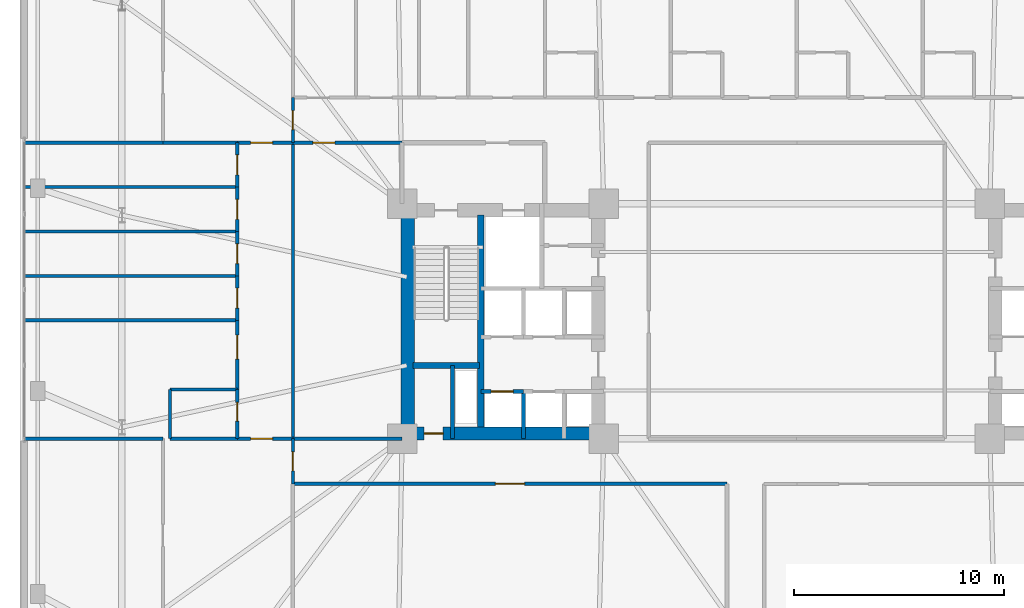
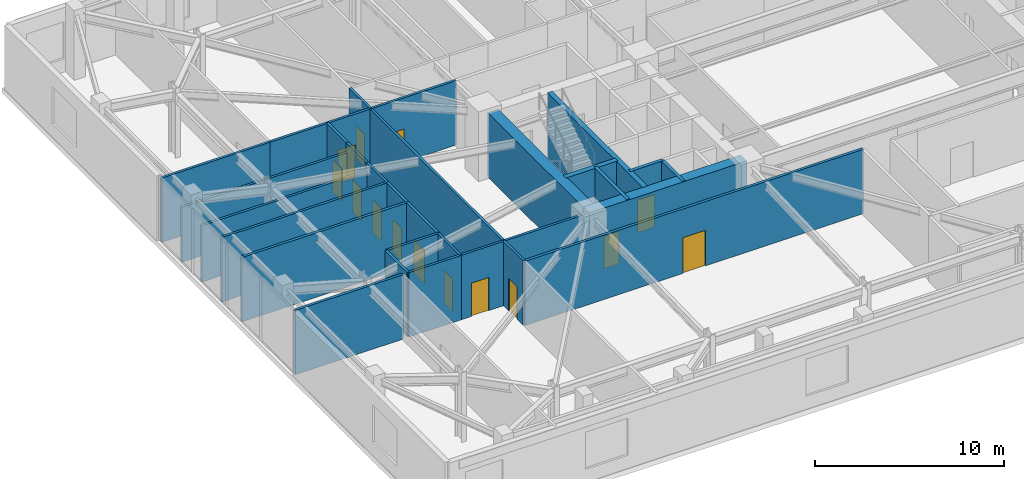
# One storey, part 11 of 21: 31 walls, 14 doors, 14 openings.
"""IFC4 building model written with IfcOpenShell, lengths in metres."""

from ifc_helpers import new_model, si_unit, direction, frame, frame_2d, origin, place, context, subcontext, project, spatial, rectangle, extrude, material, layer, layer_set, type_object, element, fill, save


model = new_model("IFC4")

# Units and contexts
model_context = context("Model", 3, precision=1e-05, world=origin(), true_north=direction((0.0, 1.0)))
body_context = subcontext(model_context, "Body", "Model", "MODEL_VIEW")
ifc_project = project(units=[si_unit("LENGTHUNIT", "METRE"), si_unit("AREAUNIT", "SQUARE_METRE"), si_unit("VOLUMEUNIT", "CUBIC_METRE"), si_unit("PLANEANGLEUNIT", "RADIAN"), si_unit("MASSUNIT", "GRAM", prefix="KILO")], contexts=[model_context])

# Site, building, storey
site_placement = place(None, origin())
site = spatial("IfcSite", under=ifc_project, at=site_placement, CompositionType="ELEMENT")
building_placement = place(site_placement, origin())
building = spatial("IfcBuilding", under=site, at=building_placement, Name="Qobustan Lattice House", CompositionType="ELEMENT")
storey_placement = place(building_placement, frame((0.0, 0.0, 22.5)))
storey = spatial("IfcBuildingStorey", under=building, at=storey_placement, Name="L05", CompositionType="ELEMENT", Elevation=22.5)

# Wall, opening, door
ifc_material_1 = material(Name="Concrete C60/75", Category="concrete")
ifc_layer_1 = layer(ifc_material_1, 0.639892578125)
ifc_layer_set_1 = layer_set([ifc_layer_1], Name="Concrete C60/75")
wall_type_1 = type_object("IfcWallType", Name="WAL-CORE-640", PredefinedType="SHEAR", material=ifc_layer_set_1)
wall_1_placement = place(storey_placement, frame((-18.800048828125, -5.35009765625, 0.0), z_axis=(0.0, 0.0, 1.0), x_axis=(1.0, 0.0, 0.0)))
wall_1 = element("IfcWall", 1, at=wall_1_placement, inside=storey, type_object=wall_type_1, Name="L05 split-core shear wall CW-S", PredefinedType="SHEAR", context=body_context, shape_type="SweptSolid", body=[
    extrude(rectangle(XDim=9.60009765625, YDim=0.639892578125, at=frame_2d((4.800048828125, 0.0))), origin(), (0.0, 0.0, 1.0), 4.159912109375),
])
opening_1_placement = place(wall_1_placement, frame((1.050048828125, 0.0, 0.0)))
opening_1 = element("IfcOpeningElement", 2, at=opening_1_placement, cuts=wall_1, Name="Opening RD-01", PredefinedType="OPENING", context=body_context, shape_type="SweptSolid", body=[
    extrude(rectangle(XDim=0.89990234375, YDim=2.10009765625, at=frame_2d((0.449951171875, 1.050048828125))), frame((0.0, 0.329833984375, 0.0), z_axis=(0.0, -1.0, 0.0), x_axis=(1.0, 0.0, 0.0)), (0.0, 0.0, 1.0), 0.659912109375),
])
ifc_material_2 = material(Name="Persian walnut timber and steel frame door", Category="steel")
door_type_1 = type_object("IfcDoorType", Name="DOR-RISER-FD-900x2100", OperationType="NOTDEFINED", PredefinedType="DOOR", material=ifc_material_2)
door_1_placement = place(opening_1_placement, origin())
door_1 = element("IfcDoor", 3, at=door_1_placement, inside=storey, type_object=door_type_1, Name="L05 core service riser access door W", OperationType="SINGLE_SWING_LEFT", OverallHeight=2.10009765625, OverallWidth=0.89990234375, PredefinedType="DOOR", context=body_context, shape_type="SweptSolid", body=[
    extrude(rectangle(XDim=0.89990234375, YDim=2.10009765625, at=frame_2d((0.449951171875, 1.050048828125))), frame((0.0, 0.02490234375, 0.0), z_axis=(0.0, -1.0, 0.0), x_axis=(1.0, 0.0, 0.0)), (0.0, 0.0, 1.0), 0.050048828125),
])
fill(opening_1, door_1)

# Walls
wall_2_placement = place(storey_placement, frame((-18.530029296875, -5.050048828125, 0.0), z_axis=(0.0, 0.0, 1.0), x_axis=(0.0, 1.0, 0.0)))
element("IfcWall", 4, at=wall_2_placement, inside=storey, type_object=wall_type_1, Name="L05 split-core shear wall CW-W", PredefinedType="SHEAR", context=body_context, shape_type="SweptSolid", body=[
    extrude(rectangle(XDim=10.10009765625, YDim=0.639892578125, at=frame_2d((5.050048828125, 0.0))), origin(), (0.0, 0.0, 1.0), 4.159912109375),
])
ifc_material_3 = material(Name="Concrete C50/60", Category="concrete")
ifc_layer_2 = layer(ifc_material_3, 0.280029296875)
ifc_layer_set_2 = layer_set([ifc_layer_2], Name="Concrete C50/60")
wall_type_2 = type_object("IfcWallType", Name="WAL-CORE-SPINE-280", PredefinedType="SHEAR", material=ifc_layer_set_2)
wall_3_placement = place(storey_placement, frame((-15.050048828125, -5.050048828125, 0.0), z_axis=(0.0, 0.0, 1.0), x_axis=(0.0, 1.0, 0.0)))
element("IfcWall", 5, at=wall_3_placement, inside=storey, type_object=wall_type_2, Name="L05 split-core shear wall CW-M", PredefinedType="SHEAR", context=body_context, shape_type="SweptSolid", body=[
    extrude(rectangle(XDim=10.10009765625, YDim=0.300048828125, at=frame_2d((5.050048828125, 0.0))), origin(), (0.0, 0.0, 1.0), 4.159912109375),
])
wall_4_placement = place(storey_placement, frame((-18.280029296875, -2.110107421875, 0.0), z_axis=(0.0, 0.0, 1.0), x_axis=(1.0, 0.0, 0.0)))
element("IfcWall", 6, at=wall_4_placement, inside=storey, type_object=wall_type_2, Name="L05 split-core shear wall CW-ST", PredefinedType="SHEAR", context=body_context, shape_type="SweptSolid", body=[
    extrude(rectangle(XDim=3.179931640625, YDim=0.300048828125, at=frame_2d((1.58984375, 0.0))), origin(), (0.0, 0.0, 1.0), 4.159912109375),
])

# Wall, opening, door
ifc_material_4 = material(Name="Acoustic twin-stud gypsum partition", Category="gypsum")
ifc_layer_3 = layer(ifc_material_4, 0.14990234375)
ifc_layer_set_3 = layer_set([ifc_layer_3], Name="Acoustic twin-stud gypsum partition")
wall_type_3 = type_object("IfcWallType", Name="WAL-PART-150", PredefinedType="PARTITIONING", material=ifc_layer_set_3)
wall_5_placement = place(storey_placement, frame((-24.0, 8.5, 0.0), z_axis=(0.0, 0.0, 1.0), x_axis=(0.0, 1.0, 0.0)))
wall_5 = element("IfcWall", 7, at=wall_5_placement, inside=storey, type_object=wall_type_3, Name="L05 interior partition 37", PredefinedType="PARTITIONING", context=body_context, shape_type="SweptSolid", body=[
    extrude(rectangle(XDim=2.14990234375, YDim=0.14990234375, at=frame_2d((1.074951171875, 0.0))), origin(), (0.0, 0.0, 1.0), 4.159912109375),
])
opening_2_placement = place(wall_5_placement, frame((0.625, 0.0, 0.0)))
opening_2 = element("IfcOpeningElement", 8, at=opening_2_placement, cuts=wall_5, Name="Opening WD-01", PredefinedType="OPENING", context=body_context, shape_type="SweptSolid", body=[
    extrude(rectangle(XDim=0.89990234375, YDim=2.10009765625, at=frame_2d((0.449951171875, 1.050048828125))), frame((0.0, 0.0849609375, 0.0), z_axis=(0.0, -1.0, 0.0), x_axis=(1.0, 0.0, 0.0)), (0.0, 0.0, 1.0), 0.169921875),
])
ifc_material_5 = material(Name="Persian walnut timber and steel frame door", Category="steel")
door_type_2 = type_object("IfcDoorType", Name="DOR-WET-900x2100", OperationType="NOTDEFINED", PredefinedType="DOOR", material=ifc_material_5)
door_2_placement = place(opening_2_placement, origin())
door_2 = element("IfcDoor", 9, at=door_2_placement, inside=storey, type_object=door_type_2, Name="L05 North-west podium corridor to Reading seminar room L05WN door", OperationType="SINGLE_SWING_LEFT", OverallHeight=2.10009765625, OverallWidth=0.89990234375, PredefinedType="DOOR", context=body_context, shape_type="SweptSolid", body=[
    extrude(rectangle(XDim=0.89990234375, YDim=2.10009765625, at=frame_2d((0.449951171875, 1.050048828125))), frame((0.0, 0.02490234375, 0.0), z_axis=(0.0, -1.0, 0.0), x_axis=(1.0, 0.0, 0.0)), (0.0, 0.0, 1.0), 0.050048828125),
])
fill(opening_2, door_2)

wall_6_placement = place(storey_placement, frame((-18.800048828125, 8.5, 0.0), z_axis=(0.0, 0.0, 1.0), x_axis=(-1.0, 0.0, 0.0)))
wall_6 = element("IfcWall", 10, at=wall_6_placement, inside=storey, type_object=wall_type_3, Name="L05 interior partition 38", PredefinedType="PARTITIONING", context=body_context, shape_type="SweptSolid", body=[
    extrude(rectangle(XDim=5.199951171875, YDim=0.14990234375, at=frame_2d((2.60009765625, 0.0))), origin(), (0.0, 0.0, 1.0), 4.159912109375),
])
opening_3_placement = place(wall_6_placement, frame((3.1962890625, 0.0, 0.0)))
opening_3 = element("IfcOpeningElement", 11, at=opening_3_placement, cuts=wall_6, Name="Opening ID-02", PredefinedType="OPENING", context=body_context, shape_type="SweptSolid", body=[
    extrude(rectangle(XDim=1.050048828125, YDim=2.14990234375, at=frame_2d((0.52490234375, 1.074951171875))), frame((0.0, 0.0849609375, 0.0), z_axis=(0.0, -1.0, 0.0), x_axis=(1.0, 0.0, 0.0)), (0.0, 0.0, 1.0), 0.169921875),
])
ifc_material_6 = material(Name="Persian walnut timber and steel frame door", Category="steel")
door_type_3 = type_object("IfcDoorType", Name="DOR-STUDY-1050x2150", OperationType="NOTDEFINED", PredefinedType="DOOR", material=ifc_material_6)
door_3_placement = place(opening_3_placement, origin())
door_3 = element("IfcDoor", 12, at=door_3_placement, inside=storey, type_object=door_type_3, Name="L05 North-west podium corridor to West study lounge door", OperationType="SINGLE_SWING_RIGHT", OverallHeight=2.14990234375, OverallWidth=1.050048828125, PredefinedType="DOOR", context=body_context, shape_type="SweptSolid", body=[
    extrude(rectangle(XDim=1.050048828125, YDim=2.14990234375, at=frame_2d((0.52490234375, 1.074951171875))), frame((0.0, 0.02490234375, 0.0), z_axis=(0.0, -1.0, 0.0), x_axis=(1.0, 0.0, 0.0)), (0.0, 0.0, 1.0), 0.050048828125),
])
fill(opening_3, door_3)

wall_7_placement = place(storey_placement, frame((-24.0, -7.75, 0.0), z_axis=(0.0, 0.0, 1.0), x_axis=(0.0, 1.0, 0.0)))
wall_7 = element("IfcWall", 13, at=wall_7_placement, inside=storey, type_object=wall_type_3, Name="L05 interior partition 59", PredefinedType="PARTITIONING", context=body_context, shape_type="SweptSolid", body=[
    extrude(rectangle(XDim=2.14990234375, YDim=0.14990234375, at=frame_2d((1.074951171875, 0.0))), origin(), (0.0, 0.0, 1.0), 4.159912109375),
])
opening_4_placement = place(wall_7_placement, frame((0.625, 0.0, 0.0)))
opening_4 = element("IfcOpeningElement", 14, at=opening_4_placement, cuts=wall_7, Name="Opening WD-01", PredefinedType="OPENING", context=body_context, shape_type="SweptSolid", body=[
    extrude(rectangle(XDim=0.89990234375, YDim=2.10009765625, at=frame_2d((0.449951171875, 1.050048828125))), frame((0.0, 0.0849609375, 0.0), z_axis=(0.0, -1.0, 0.0), x_axis=(1.0, 0.0, 0.0)), (0.0, 0.0, 1.0), 0.169921875),
])
door_4_placement = place(opening_4_placement, origin())
door_4 = element("IfcDoor", 15, at=door_4_placement, inside=storey, type_object=door_type_2, Name="L05 South-west podium corridor to Reading seminar room L05WS door", OperationType="SINGLE_SWING_RIGHT", OverallHeight=2.10009765625, OverallWidth=0.89990234375, PredefinedType="DOOR", context=body_context, shape_type="SweptSolid", body=[
    extrude(rectangle(XDim=0.89990234375, YDim=2.10009765625, at=frame_2d((0.449951171875, 1.050048828125))), frame((0.0, 0.02490234375, 0.0), z_axis=(0.0, -1.0, 0.0), x_axis=(1.0, 0.0, 0.0)), (0.0, 0.0, 1.0), 0.050048828125),
])
fill(opening_4, door_4)

# Wall
wall_8_placement = place(storey_placement, frame((-24.0, -5.60009765625, 0.0), z_axis=(0.0, 0.0, 1.0), x_axis=(1.0, 0.0, 0.0)))
element("IfcWall", 16, at=wall_8_placement, inside=storey, type_object=wall_type_3, Name="L05 interior partition 60", PredefinedType="PARTITIONING", context=body_context, shape_type="SweptSolid", body=[
    extrude(rectangle(XDim=5.199951171875, YDim=0.14990234375, at=frame_2d((2.60009765625, 0.0))), origin(), (0.0, 0.0, 1.0), 4.159912109375),
])

# Wall, opening, door
wall_9_placement = place(storey_placement, frame((-26.64990234375, 8.5, 0.0), z_axis=(0.0, 0.0, 1.0), x_axis=(1.0, 0.0, 0.0)))
wall_9 = element("IfcWall", 17, at=wall_9_placement, inside=storey, type_object=wall_type_3, Name="L05 interior partition 75", PredefinedType="PARTITIONING", context=body_context, shape_type="SweptSolid", body=[
    extrude(rectangle(XDim=2.64990234375, YDim=0.14990234375, at=frame_2d((1.324951171875, 0.0))), origin(), (0.0, 0.0, 1.0), 4.159912109375),
])
opening_5_placement = place(wall_9_placement, frame((0.635009765625, 0.0, 0.0)))
opening_5 = element("IfcOpeningElement", 18, at=opening_5_placement, cuts=wall_9, Name="Opening ID-02", PredefinedType="OPENING", context=body_context, shape_type="SweptSolid", body=[
    extrude(rectangle(XDim=1.050048828125, YDim=2.14990234375, at=frame_2d((0.52490234375, 1.074951171875))), frame((0.0, 0.0849609375, 0.0), z_axis=(0.0, -1.0, 0.0), x_axis=(1.0, 0.0, 0.0)), (0.0, 0.0, 1.0), 0.169921875),
])
door_5_placement = place(opening_5_placement, origin())
door_5 = element("IfcDoor", 19, at=door_5_placement, inside=storey, type_object=door_type_3, Name="L05 Residence entrance hall L05W to Reading seminar room L05WN door", OperationType="SINGLE_SWING_RIGHT", OverallHeight=2.14990234375, OverallWidth=1.050048828125, PredefinedType="DOOR", context=body_context, shape_type="SweptSolid", body=[
    extrude(rectangle(XDim=1.050048828125, YDim=2.14990234375, at=frame_2d((0.52490234375, 1.074951171875))), frame((0.0, 0.02490234375, 0.0), z_axis=(0.0, -1.0, 0.0), x_axis=(1.0, 0.0, 0.0)), (0.0, 0.0, 1.0), 0.050048828125),
])
fill(opening_5, door_5)

wall_10_placement = place(storey_placement, frame((-24.0, -5.60009765625, 0.0), z_axis=(0.0, 0.0, 1.0), x_axis=(-1.0, 0.0, 0.0)))
wall_10 = element("IfcWall", 20, at=wall_10_placement, inside=storey, type_object=wall_type_3, Name="L05 interior partition 76", PredefinedType="PARTITIONING", context=body_context, shape_type="SweptSolid", body=[
    extrude(rectangle(XDim=2.64990234375, YDim=0.14990234375, at=frame_2d((1.324951171875, 0.0))), origin(), (0.0, 0.0, 1.0), 4.159912109375),
])
opening_6_placement = place(wall_10_placement, frame((0.965087890625, 0.0, 0.0)))
opening_6 = element("IfcOpeningElement", 21, at=opening_6_placement, cuts=wall_10, Name="Opening ID-02", PredefinedType="OPENING", context=body_context, shape_type="SweptSolid", body=[
    extrude(rectangle(XDim=1.050048828125, YDim=2.14990234375, at=frame_2d((0.52490234375, 1.074951171875))), frame((0.0, 0.0849609375, 0.0), z_axis=(0.0, -1.0, 0.0), x_axis=(1.0, 0.0, 0.0)), (0.0, 0.0, 1.0), 0.169921875),
])
door_6_placement = place(opening_6_placement, origin())
door_6 = element("IfcDoor", 22, at=door_6_placement, inside=storey, type_object=door_type_3, Name="L05 Residence entrance hall L05W to Reading seminar room L05WS door", OperationType="SINGLE_SWING_LEFT", OverallHeight=2.14990234375, OverallWidth=1.050048828125, PredefinedType="DOOR", context=body_context, shape_type="SweptSolid", body=[
    extrude(rectangle(XDim=1.050048828125, YDim=2.14990234375, at=frame_2d((0.52490234375, 1.074951171875))), frame((0.0, 0.02490234375, 0.0), z_axis=(0.0, -1.0, 0.0), x_axis=(1.0, 0.0, 0.0)), (0.0, 0.0, 1.0), 0.050048828125),
])
fill(opening_6, door_6)

wall_11_placement = place(storey_placement, frame((-26.64990234375, 0.0400390625, 0.0), z_axis=(0.0, 0.0, 1.0), x_axis=(0.0, 1.0, 0.0)))
wall_11 = element("IfcWall", 23, at=wall_11_placement, inside=storey, type_object=wall_type_3, Name="L05 interior partition 79", PredefinedType="PARTITIONING", context=body_context, shape_type="SweptSolid", body=[
    extrude(rectangle(XDim=2.114990234375, YDim=0.14990234375, at=frame_2d((1.0576171875, 0.0))), origin(), (0.0, 0.0, 1.0), 4.159912109375),
])
opening_7_placement = place(wall_11_placement, frame((0.58251953125, 0.0, 0.0)))
opening_7 = element("IfcOpeningElement", 24, at=opening_7_placement, cuts=wall_11, Name="Opening ID-01", PredefinedType="OPENING", context=body_context, shape_type="SweptSolid", body=[
    extrude(rectangle(XDim=0.949951171875, YDim=2.10009765625, at=frame_2d((0.47509765625, 1.050048828125))), frame((0.0, 0.0849609375, 0.0), z_axis=(0.0, -1.0, 0.0), x_axis=(1.0, 0.0, 0.0)), (0.0, 0.0, 1.0), 0.169921875),
])
ifc_material_7 = material(Name="Persian walnut timber and steel frame door", Category="steel")
door_type_4 = type_object("IfcDoorType", Name="DOR-ROOM-950x2100", OperationType="NOTDEFINED", PredefinedType="DOOR", material=ifc_material_7)
door_7_placement = place(opening_7_placement, origin())
door_7 = element("IfcDoor", 25, at=door_7_placement, inside=storey, type_object=door_type_4, Name="L05 Residence entrance hall L05W to Cluster bedroom L05W1 door", OperationType="SINGLE_SWING_RIGHT", OverallHeight=2.10009765625, OverallWidth=0.949951171875, PredefinedType="DOOR", context=body_context, shape_type="SweptSolid", body=[
    extrude(rectangle(XDim=0.949951171875, YDim=2.10009765625, at=frame_2d((0.47509765625, 1.050048828125))), frame((0.0, 0.02490234375, 0.0), z_axis=(0.0, -1.0, 0.0), x_axis=(1.0, 0.0, 0.0)), (0.0, 0.0, 1.0), 0.050048828125),
])
fill(opening_7, door_7)

wall_12_placement = place(storey_placement, frame((-26.64990234375, 2.155029296875, 0.0), z_axis=(0.0, 0.0, 1.0), x_axis=(0.0, 1.0, 0.0)))
wall_12 = element("IfcWall", 26, at=wall_12_placement, inside=storey, type_object=wall_type_3, Name="L05 interior partition 80", PredefinedType="PARTITIONING", context=body_context, shape_type="SweptSolid", body=[
    extrude(rectangle(XDim=2.114990234375, YDim=0.14990234375, at=frame_2d((1.0576171875, 0.0))), origin(), (0.0, 0.0, 1.0), 4.159912109375),
])
opening_8_placement = place(wall_12_placement, frame((0.58251953125, 0.0, 0.0)))
opening_8 = element("IfcOpeningElement", 27, at=opening_8_placement, cuts=wall_12, Name="Opening ID-01", PredefinedType="OPENING", context=body_context, shape_type="SweptSolid", body=[
    extrude(rectangle(XDim=0.949951171875, YDim=2.10009765625, at=frame_2d((0.47509765625, 1.050048828125))), frame((0.0, 0.0849609375, 0.0), z_axis=(0.0, -1.0, 0.0), x_axis=(1.0, 0.0, 0.0)), (0.0, 0.0, 1.0), 0.169921875),
])
door_8_placement = place(opening_8_placement, origin())
door_8 = element("IfcDoor", 28, at=door_8_placement, inside=storey, type_object=door_type_4, Name="L05 Residence entrance hall L05W to Cluster bedroom L05W2 door", OperationType="SINGLE_SWING_LEFT", OverallHeight=2.10009765625, OverallWidth=0.949951171875, PredefinedType="DOOR", context=body_context, shape_type="SweptSolid", body=[
    extrude(rectangle(XDim=0.949951171875, YDim=2.10009765625, at=frame_2d((0.47509765625, 1.050048828125))), frame((0.0, 0.02490234375, 0.0), z_axis=(0.0, -1.0, 0.0), x_axis=(1.0, 0.0, 0.0)), (0.0, 0.0, 1.0), 0.050048828125),
])
fill(opening_8, door_8)

wall_13_placement = place(storey_placement, frame((-26.64990234375, 4.27001953125, 0.0), z_axis=(0.0, 0.0, 1.0), x_axis=(0.0, 1.0, 0.0)))
wall_13 = element("IfcWall", 29, at=wall_13_placement, inside=storey, type_object=wall_type_3, Name="L05 interior partition 81", PredefinedType="PARTITIONING", context=body_context, shape_type="SweptSolid", body=[
    extrude(rectangle(XDim=2.114990234375, YDim=0.14990234375, at=frame_2d((1.0576171875, 0.0))), origin(), (0.0, 0.0, 1.0), 4.159912109375),
])
opening_9_placement = place(wall_13_placement, frame((0.58251953125, 0.0, 0.0)))
opening_9 = element("IfcOpeningElement", 30, at=opening_9_placement, cuts=wall_13, Name="Opening ID-01", PredefinedType="OPENING", context=body_context, shape_type="SweptSolid", body=[
    extrude(rectangle(XDim=0.949951171875, YDim=2.10009765625, at=frame_2d((0.47509765625, 1.050048828125))), frame((0.0, 0.0849609375, 0.0), z_axis=(0.0, -1.0, 0.0), x_axis=(1.0, 0.0, 0.0)), (0.0, 0.0, 1.0), 0.169921875),
])
door_9_placement = place(opening_9_placement, origin())
door_9 = element("IfcDoor", 31, at=door_9_placement, inside=storey, type_object=door_type_4, Name="L05 Residence entrance hall L05W to Cluster bedroom L05W3 door", OperationType="SINGLE_SWING_RIGHT", OverallHeight=2.10009765625, OverallWidth=0.949951171875, PredefinedType="DOOR", context=body_context, shape_type="SweptSolid", body=[
    extrude(rectangle(XDim=0.949951171875, YDim=2.10009765625, at=frame_2d((0.47509765625, 1.050048828125))), frame((0.0, 0.02490234375, 0.0), z_axis=(0.0, -1.0, 0.0), x_axis=(1.0, 0.0, 0.0)), (0.0, 0.0, 1.0), 0.050048828125),
])
fill(opening_9, door_9)

wall_14_placement = place(storey_placement, frame((-26.64990234375, 6.385009765625, 0.0), z_axis=(0.0, 0.0, 1.0), x_axis=(0.0, 1.0, 0.0)))
wall_14 = element("IfcWall", 32, at=wall_14_placement, inside=storey, type_object=wall_type_3, Name="L05 interior partition 82", PredefinedType="PARTITIONING", context=body_context, shape_type="SweptSolid", body=[
    extrude(rectangle(XDim=2.114990234375, YDim=0.14990234375, at=frame_2d((1.0576171875, 0.0))), origin(), (0.0, 0.0, 1.0), 4.159912109375),
])
opening_10_placement = place(wall_14_placement, frame((0.58251953125, 0.0, 0.0)))
opening_10 = element("IfcOpeningElement", 33, at=opening_10_placement, cuts=wall_14, Name="Opening ID-01", PredefinedType="OPENING", context=body_context, shape_type="SweptSolid", body=[
    extrude(rectangle(XDim=0.949951171875, YDim=2.10009765625, at=frame_2d((0.47509765625, 1.050048828125))), frame((0.0, 0.0849609375, 0.0), z_axis=(0.0, -1.0, 0.0), x_axis=(1.0, 0.0, 0.0)), (0.0, 0.0, 1.0), 0.169921875),
])
door_10_placement = place(opening_10_placement, origin())
door_10 = element("IfcDoor", 34, at=door_10_placement, inside=storey, type_object=door_type_4, Name="L05 Residence entrance hall L05W to Cluster bedroom L05W4 door", OperationType="SINGLE_SWING_LEFT", OverallHeight=2.10009765625, OverallWidth=0.949951171875, PredefinedType="DOOR", context=body_context, shape_type="SweptSolid", body=[
    extrude(rectangle(XDim=0.949951171875, YDim=2.10009765625, at=frame_2d((0.47509765625, 1.050048828125))), frame((0.0, 0.02490234375, 0.0), z_axis=(0.0, -1.0, 0.0), x_axis=(1.0, 0.0, 0.0)), (0.0, 0.0, 1.0), 0.050048828125),
])
fill(opening_10, door_10)

# Walls
wall_15_placement = place(storey_placement, frame((-24.0, 8.5, 0.0), z_axis=(0.0, 0.0, 1.0), x_axis=(0.0, -1.0, 0.0)))
element("IfcWall", 35, at=wall_15_placement, inside=storey, type_object=wall_type_3, Name="L05 interior partition 83", PredefinedType="PARTITIONING", context=body_context, shape_type="SweptSolid", body=[
    extrude(rectangle(XDim=14.10009765625, YDim=0.14990234375, at=frame_2d((7.050048828125, 0.0))), origin(), (0.0, 0.0, 1.0), 4.159912109375),
])
wall_16_placement = place(storey_placement, frame((-26.64990234375, 8.5, 0.0), z_axis=(0.0, 0.0, 1.0), x_axis=(-1.0, 0.0, 0.0)))
element("IfcWall", 36, at=wall_16_placement, inside=storey, type_object=wall_type_3, Name="L05 interior partition 85", PredefinedType="PARTITIONING", context=body_context, shape_type="SweptSolid", body=[
    extrude(rectangle(XDim=3.5400390625, YDim=0.14990234375, at=frame_2d((1.77001953125, 0.0))), origin(), (0.0, 0.0, 1.0), 4.159912109375),
])
wall_17_placement = place(storey_placement, frame((-30.18994140625, 8.5, 0.0), z_axis=(0.0, 0.0, 1.0), x_axis=(-1.0, 0.0, 0.0)))
element("IfcWall", 37, at=wall_17_placement, inside=storey, type_object=wall_type_3, Name="L05 interior partition 87", PredefinedType="PARTITIONING", context=body_context, shape_type="SweptSolid", body=[
    extrude(rectangle(XDim=6.610107421875, YDim=0.14990234375, at=frame_2d((3.30517578125, 0.0))), origin(), (0.0, 0.0, 1.0), 4.159912109375),
])
wall_18_placement = place(storey_placement, frame((-36.800048828125, 2.155029296875, 0.0), z_axis=(0.0, 0.0, 1.0), x_axis=(1.0, 0.0, 0.0)))
element("IfcWall", 38, at=wall_18_placement, inside=storey, type_object=wall_type_3, Name="L05 interior partition 95", PredefinedType="PARTITIONING", context=body_context, shape_type="SweptSolid", body=[
    extrude(rectangle(XDim=10.150146484375, YDim=0.14990234375, at=frame_2d((5.0751953125, 0.0))), origin(), (0.0, 0.0, 1.0), 4.159912109375),
])
wall_19_placement = place(storey_placement, frame((-36.800048828125, 4.27001953125, 0.0), z_axis=(0.0, 0.0, 1.0), x_axis=(1.0, 0.0, 0.0)))
element("IfcWall", 39, at=wall_19_placement, inside=storey, type_object=wall_type_3, Name="L05 interior partition 96", PredefinedType="PARTITIONING", context=body_context, shape_type="SweptSolid", body=[
    extrude(rectangle(XDim=10.150146484375, YDim=0.14990234375, at=frame_2d((5.0751953125, 0.0))), origin(), (0.0, 0.0, 1.0), 3.64501953125),
])
wall_20_placement = place(storey_placement, frame((-36.800048828125, 6.385009765625, 0.0), z_axis=(0.0, 0.0, 1.0), x_axis=(1.0, 0.0, 0.0)))
element("IfcWall", 40, at=wall_20_placement, inside=storey, type_object=wall_type_3, Name="L05 interior partition 97", PredefinedType="PARTITIONING", context=body_context, shape_type="SweptSolid", body=[
    extrude(rectangle(XDim=10.150146484375, YDim=0.14990234375, at=frame_2d((5.0751953125, 0.0))), origin(), (0.0, 0.0, 1.0), 3.544921875),
])

# Wall, opening, door
ifc_material_8 = material(Name="High-mass acoustic twin-stud partition", Category="gypsum")
ifc_layer_4 = layer(ifc_material_8, 0.1650390625)
ifc_layer_set_4 = layer_set([ifc_layer_4], Name="High-mass acoustic twin-stud partition")
wall_type_4 = type_object("IfcWallType", Name="WAL-PART-165", PredefinedType="PARTITIONING", material=ifc_layer_set_4)
wall_21_placement = place(storey_placement, frame((-3.320068359375, -7.75, 0.0), z_axis=(0.0, 0.0, 1.0), x_axis=(-1.0, 0.0, 0.0)))
wall_21 = element("IfcWall", 41, at=wall_21_placement, inside=storey, type_object=wall_type_4, Name="L05 interior partition 61", PredefinedType="PARTITIONING", context=body_context, shape_type="SweptSolid", body=[
    extrude(rectangle(XDim=20.679931640625, YDim=0.1650390625, at=frame_2d((10.33984375, 0.0))), origin(), (0.0, 0.0, 1.0), 4.159912109375),
])
opening_11_placement = place(wall_21_placement, frame((9.639892578125, 0.0, 0.0)))
opening_11 = element("IfcOpeningElement", 42, at=opening_11_placement, cuts=wall_21, Name="Opening ID-04", PredefinedType="OPENING", context=body_context, shape_type="SweptSolid", body=[
    extrude(rectangle(XDim=1.39990234375, YDim=2.300048828125, at=frame_2d((0.699951171875, 1.14990234375))), frame((0.0, 0.092529296875, 0.0), z_axis=(0.0, -1.0, 0.0), x_axis=(1.0, 0.0, 0.0)), (0.0, 0.0, 1.0), 0.18505859375),
])
ifc_material_9 = material(Name="Persian walnut timber and steel frame door", Category="steel")
door_type_5 = type_object("IfcDoorType", Name="DOR-POD-1400x2300", OperationType="NOTDEFINED", PredefinedType="DOOR", material=ifc_material_9)
door_11_placement = place(opening_11_placement, origin())
door_11 = element("IfcDoor", 43, at=door_11_placement, inside=storey, type_object=door_type_5, Name="L05 South-west podium corridor to Observatory pre-show exhibition gallery door", OperationType="SINGLE_SWING_LEFT", OverallHeight=2.300048828125, OverallWidth=1.39990234375, PredefinedType="DOOR", context=body_context, shape_type="SweptSolid", body=[
    extrude(rectangle(XDim=1.39990234375, YDim=2.300048828125, at=frame_2d((0.699951171875, 1.14990234375))), frame((0.0, 0.02490234375, 0.0), z_axis=(0.0, -1.0, 0.0), x_axis=(1.0, 0.0, 0.0)), (0.0, 0.0, 1.0), 0.050048828125),
])
fill(opening_11, door_11)

wall_22_placement = place(storey_placement, frame((-26.64990234375, -3.25, 0.0), z_axis=(0.0, 0.0, 1.0), x_axis=(0.0, 1.0, 0.0)))
wall_22 = element("IfcWall", 44, at=wall_22_placement, inside=storey, type_object=wall_type_4, Name="L05 interior partition 78", PredefinedType="PARTITIONING", context=body_context, shape_type="SweptSolid", body=[
    extrude(rectangle(XDim=3.2900390625, YDim=0.1650390625, at=frame_2d((1.64501953125, 0.0))), origin(), (0.0, 0.0, 1.0), 4.159912109375),
])
opening_12_placement = place(wall_22_placement, frame((1.4375, 0.0, 0.0)))
opening_12 = element("IfcOpeningElement", 45, at=opening_12_placement, cuts=wall_22, Name="Opening ID-03", PredefinedType="OPENING", context=body_context, shape_type="SweptSolid", body=[
    extrude(rectangle(XDim=1.14990234375, YDim=2.14990234375, at=frame_2d((0.574951171875, 1.074951171875))), frame((0.0, 0.092529296875, 0.0), z_axis=(0.0, -1.0, 0.0), x_axis=(1.0, 0.0, 0.0)), (0.0, 0.0, 1.0), 0.18505859375),
])
ifc_material_10 = material(Name="Persian walnut timber and steel frame door", Category="steel")
door_type_6 = type_object("IfcDoorType", Name="DOR-KITCH-1150x2150", OperationType="NOTDEFINED", PredefinedType="DOOR", material=ifc_material_10)
door_12_placement = place(opening_12_placement, origin())
door_12 = element("IfcDoor", 46, at=door_12_placement, inside=storey, type_object=door_type_6, Name="L05 Residence entrance hall L05W to Shared kitchen L05W door", OperationType="SINGLE_SWING_LEFT", OverallHeight=2.14990234375, OverallWidth=1.14990234375, PredefinedType="DOOR", context=body_context, shape_type="SweptSolid", body=[
    extrude(rectangle(XDim=1.14990234375, YDim=2.14990234375, at=frame_2d((0.574951171875, 1.074951171875))), frame((0.0, 0.02490234375, 0.0), z_axis=(0.0, -1.0, 0.0), x_axis=(1.0, 0.0, 0.0)), (0.0, 0.0, 1.0), 0.050048828125),
])
fill(opening_12, door_12)

# Walls
wall_23_placement = place(storey_placement, frame((-36.800048828125, -5.60009765625, 0.0), z_axis=(0.0, 0.0, 1.0), x_axis=(1.0, 0.0, 0.0)))
element("IfcWall", 47, at=wall_23_placement, inside=storey, type_object=wall_type_4, Name="L05 interior partition 91", PredefinedType="PARTITIONING", context=body_context, shape_type="SweptSolid", body=[
    extrude(rectangle(XDim=6.610107421875, YDim=0.1650390625, at=frame_2d((3.30517578125, 0.0))), origin(), (0.0, 0.0, 1.0), 4.159912109375),
])
wall_24_placement = place(storey_placement, frame((-36.800048828125, 0.0400390625, 0.0), z_axis=(0.0, 0.0, 1.0), x_axis=(1.0, 0.0, 0.0)))
element("IfcWall", 48, at=wall_24_placement, inside=storey, type_object=wall_type_4, Name="L05 interior partition 94", PredefinedType="PARTITIONING", context=body_context, shape_type="SweptSolid", body=[
    extrude(rectangle(XDim=10.150146484375, YDim=0.1650390625, at=frame_2d((5.0751953125, 0.0))), origin(), (0.0, 0.0, 1.0), 4.159912109375),
])
ifc_material_11 = material(Name="Concrete C40/50", Category="concrete")
ifc_layer_5 = layer(ifc_material_11, 0.199951171875)
ifc_layer_set_5 = layer_set([ifc_layer_5], Name="Concrete C40/50")
wall_type_5 = type_object("IfcWallType", Name="WAL-SHAFT-200", PredefinedType="PARTITIONING", material=ifc_layer_set_5)
wall_25_placement = place(storey_placement, frame((-16.39990234375, -5.60009765625, 0.0), z_axis=(0.0, 0.0, 1.0), x_axis=(0.0, 1.0, 0.0)))
element("IfcWall", 49, at=wall_25_placement, inside=storey, type_object=wall_type_5, Name="L05 interior partition 1", PredefinedType="PARTITIONING", context=body_context, shape_type="SweptSolid", body=[
    extrude(rectangle(XDim=3.489990234375, YDim=0.199951171875, at=frame_2d((1.7451171875, 0.0))), origin(), (0.0, 0.0, 1.0), 4.159912109375),
])

# Wall, opening, door
wall_26_placement = place(storey_placement, frame((-15.050048828125, -3.35009765625, 0.0), z_axis=(0.0, 0.0, 1.0), x_axis=(1.0, 0.0, 0.0)))
wall_26 = element("IfcWall", 50, at=wall_26_placement, inside=storey, type_object=wall_type_5, Name="L05 interior partition 9", PredefinedType="PARTITIONING", context=body_context, shape_type="SweptSolid", body=[
    extrude(rectangle(XDim=2.030029296875, YDim=0.199951171875, at=frame_2d((1.01513671875, 0.0))), origin(), (0.0, 0.0, 1.0), 4.159912109375),
])
opening_13_placement = place(wall_26_placement, frame((0.489990234375, 0.0, 0.0)))
opening_13 = element("IfcOpeningElement", 51, at=opening_13_placement, cuts=wall_26, Name="Opening LD-01", PredefinedType="OPENING", context=body_context, shape_type="SweptSolid", body=[
    extrude(rectangle(XDim=1.050048828125, YDim=2.10009765625, at=frame_2d((0.52490234375, 1.050048828125))), frame((0.0, 0.10986328125, 0.0), z_axis=(0.0, -1.0, 0.0), x_axis=(1.0, 0.0, 0.0)), (0.0, 0.0, 1.0), 0.219970703125),
])
ifc_material_12 = material(Name="Persian walnut timber and steel frame door", Category="steel")
door_type_7 = type_object("IfcDoorType", Name="DOR-LIFT-LD-1050x2100", OperationType="NOTDEFINED", PredefinedType="DOOR", material=ifc_material_12)
door_13_placement = place(opening_13_placement, origin())
door_13 = element("IfcDoor", 52, at=door_13_placement, inside=storey, type_object=door_type_7, Name="L05 lift landing door", OperationType="DOUBLE_DOOR_SLIDING", OverallHeight=2.10009765625, OverallWidth=1.050048828125, PredefinedType="DOOR", context=body_context, shape_type="SweptSolid", body=[
    extrude(rectangle(XDim=1.050048828125, YDim=2.10009765625, at=frame_2d((0.52490234375, 1.050048828125))), frame((0.0, 0.02490234375, 0.0), z_axis=(0.0, -1.0, 0.0), x_axis=(1.0, 0.0, 0.0)), (0.0, 0.0, 1.0), 0.050048828125),
])
fill(opening_13, door_13)

# Wall
wall_27_placement = place(storey_placement, frame((-13.02001953125, -5.60009765625, 0.0), z_axis=(0.0, 0.0, 1.0), x_axis=(0.0, 1.0, 0.0)))
element("IfcWall", 53, at=wall_27_placement, inside=storey, type_object=wall_type_5, Name="L05 interior partition 16", PredefinedType="PARTITIONING", context=body_context, shape_type="SweptSolid", body=[
    extrude(rectangle(XDim=2.25, YDim=0.199951171875, at=frame_2d((1.125, 0.0))), origin(), (0.0, 0.0, 1.0), 4.159912109375),
])

# Wall, opening, door
ifc_material_13 = material(Name="Moisture-resistant acoustic plumbing wall", Category="gypsum")
ifc_layer_6 = layer(ifc_material_13, 0.14990234375)
ifc_layer_set_6 = layer_set([ifc_layer_6], Name="Moisture-resistant acoustic plumbing wall")
wall_type_6 = type_object("IfcWallType", Name="WAL-WET-150", PredefinedType="PLUMBINGWALL", material=ifc_layer_set_6)
wall_28_placement = place(storey_placement, frame((-26.64990234375, -5.60009765625, 0.0), z_axis=(0.0, 0.0, 1.0), x_axis=(0.0, 1.0, 0.0)))
wall_28 = element("IfcWall", 54, at=wall_28_placement, inside=storey, type_object=wall_type_6, Name="L05 interior partition 77", PredefinedType="PLUMBINGWALL", context=body_context, shape_type="SweptSolid", body=[
    extrude(rectangle(XDim=2.35009765625, YDim=0.14990234375, at=frame_2d((1.175048828125, 0.0))), origin(), (0.0, 0.0, 1.0), 4.159912109375),
])
opening_14_placement = place(wall_28_placement, frame((0.833740234375, 0.0, 0.0)))
opening_14 = element("IfcOpeningElement", 55, at=opening_14_placement, cuts=wall_28, Name="Opening WD-01", PredefinedType="OPENING", context=body_context, shape_type="SweptSolid", body=[
    extrude(rectangle(XDim=0.89990234375, YDim=2.10009765625, at=frame_2d((0.449951171875, 1.050048828125))), frame((0.0, 0.0849609375, 0.0), z_axis=(0.0, -1.0, 0.0), x_axis=(1.0, 0.0, 0.0)), (0.0, 0.0, 1.0), 0.169921875),
])
door_14_placement = place(opening_14_placement, origin())
door_14 = element("IfcDoor", 56, at=door_14_placement, inside=storey, type_object=door_type_2, Name="L05 Residence entrance hall L05W to Shared bathroom L05W door", OperationType="SINGLE_SWING_RIGHT", OverallHeight=2.10009765625, OverallWidth=0.89990234375, PredefinedType="DOOR", context=body_context, shape_type="SweptSolid", body=[
    extrude(rectangle(XDim=0.89990234375, YDim=2.10009765625, at=frame_2d((0.449951171875, 1.050048828125))), frame((0.0, 0.02490234375, 0.0), z_axis=(0.0, -1.0, 0.0), x_axis=(1.0, 0.0, 0.0)), (0.0, 0.0, 1.0), 0.050048828125),
])
fill(opening_14, door_14)

# Walls
for number, where, z_axis, x_axis, name in (
    (57, (-29.85009765625, -5.60009765625, 0.0), (0.0, 0.0, 1.0), (1.0, 0.0, 0.0), "L05 interior partition 89"),
    (58, (-29.85009765625, -3.25, 0.0), (0.0, 0.0, 1.0), (1.0, 0.0, 0.0), "L05 interior partition 92"),
):
    element("IfcWall", number, at=place(storey_placement, frame(where, z_axis=z_axis, x_axis=x_axis)), inside=storey, type_object=wall_type_6, Name=name, PredefinedType="PLUMBINGWALL", context=body_context, shape_type="SweptSolid", body=[
        extrude(rectangle(XDim=3.2001953125, YDim=0.14990234375, at=frame_2d((1.60009765625, 0.0))), origin(), (0.0, 0.0, 1.0), 4.159912109375),
    ])
wall_29_placement = place(storey_placement, frame((-29.85009765625, -5.60009765625, 0.0), z_axis=(0.0, 0.0, 1.0), x_axis=(0.0, 1.0, 0.0)))
element("IfcWall", 59, at=wall_29_placement, inside=storey, type_object=wall_type_6, Name="L05 interior partition 93", PredefinedType="PLUMBINGWALL", context=body_context, shape_type="SweptSolid", body=[
    extrude(rectangle(XDim=2.35009765625, YDim=0.14990234375, at=frame_2d((1.175048828125, 0.0))), origin(), (0.0, 0.0, 1.0), 4.159912109375),
])

save(model, "model.ifc")
